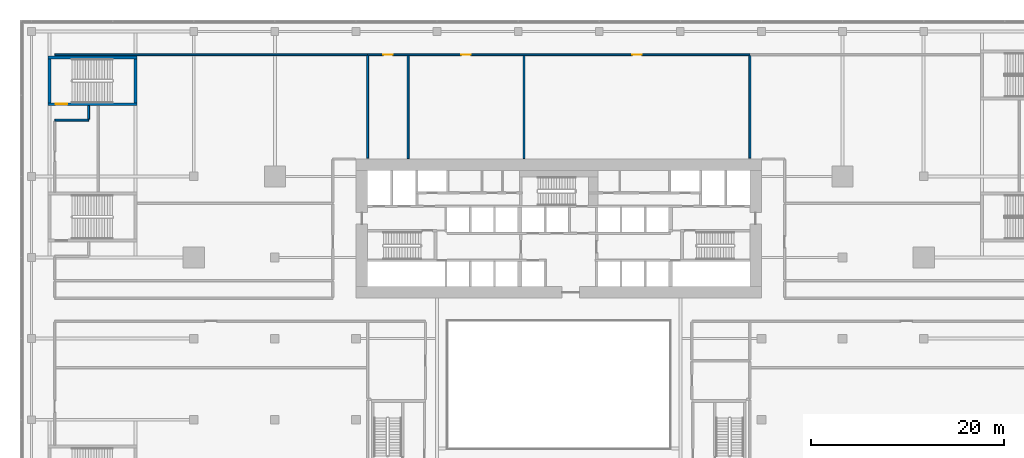
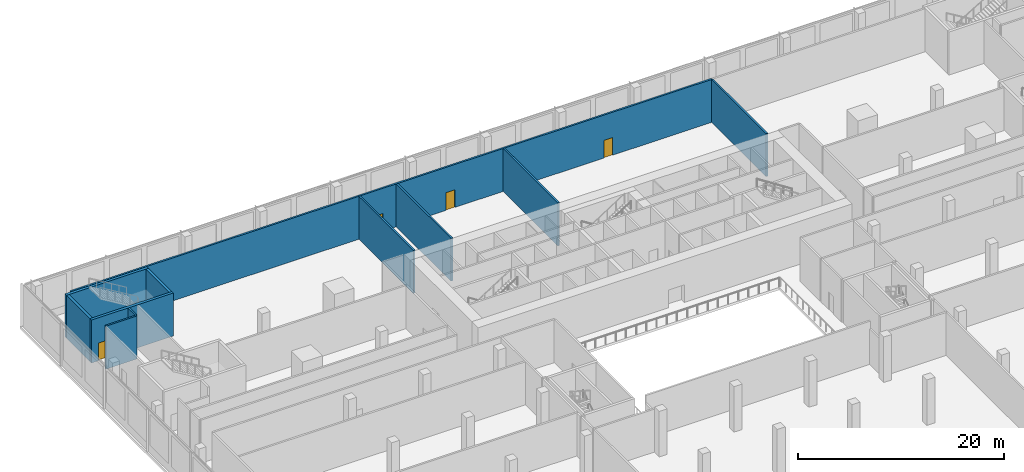
# One storey, part 33 of 39: 12 walls, 4 doors, 4 openings.
"""IFC4 building model written with IfcOpenShell, lengths in metres."""

from ifc_helpers import new_model, si_unit, direction, frame, frame_2d, origin, place, context, subcontext, project, spatial, rectangle, extrude, material, layer, layer_set, type_object, element, fill, save


model = new_model("IFC4")

# Units and contexts
model_context = context("Model", 3, precision=1e-05, world=origin(), true_north=direction((0.0, 1.0)))
body_context = subcontext(model_context, "Body", "Model", "MODEL_VIEW")
ifc_project = project(units=[si_unit("LENGTHUNIT", "METRE"), si_unit("AREAUNIT", "SQUARE_METRE"), si_unit("VOLUMEUNIT", "CUBIC_METRE"), si_unit("PLANEANGLEUNIT", "RADIAN"), si_unit("MASSUNIT", "GRAM", prefix="KILO")], contexts=[model_context])

# Site, building, storey
site_placement = place(None, origin())
site = spatial("IfcSite", under=ifc_project, at=site_placement, CompositionType="ELEMENT")
building_placement = place(site_placement, origin())
building = spatial("IfcBuilding", under=site, at=building_placement, Name="Saffron Gate Tower", CompositionType="ELEMENT")
storey_placement = place(building_placement, frame((0.0, 0.0, 9.0)))
storey = spatial("IfcBuildingStorey", under=building, at=storey_placement, Name="L01", CompositionType="ELEMENT", Elevation=9.0)

# Wall, opening, door
ifc_material_1 = material(Name="Concrete C70", Category="concrete")
ifc_layer_1 = layer(ifc_material_1, 0.300048828125)
ifc_layer_set_1 = layer_set([ifc_layer_1], Name="CW5 RC core wall 300 C70")
wall_type_1 = type_object("IfcWallType", Name="CW5 RC core wall 300 C70", PredefinedType="SOLIDWALL", material=ifc_layer_set_1)
wall_1_placement = place(storey_placement, frame((34.699951171875, 81.27490234375, 0.0), z_axis=(0.0, 0.0, 1.0), x_axis=(1.0, 0.0, 0.0)))
wall_1 = element("IfcWall", 1, at=wall_1_placement, inside=storey, type_object=wall_type_1, Name="Wall CW5-L01-F-1", PredefinedType="SOLIDWALL", context=body_context, shape_type="SweptSolid", body=[
    extrude(rectangle(XDim=9.199951171875, YDim=0.300048828125, at=frame_2d((4.60009765625, 0.0))), origin(), (0.0, 0.0, 1.0), 5.10009765625),
])
opening_1_placement = place(wall_1_placement, frame((0.800048828125, 0.0, 0.0)))
opening_1 = element("IfcOpeningElement", 2, at=opening_1_placement, cuts=wall_1, Name="Opening CR-26", PredefinedType="OPENING", context=body_context, shape_type="SweptSolid", body=[
    extrude(rectangle(XDim=1.199951171875, YDim=2.10009765625, at=frame_2d((0.60009765625, 1.050048828125))), frame((0.0, 0.16015625, 0.0), z_axis=(0.0, -1.0, 0.0), x_axis=(1.0, 0.0, 0.0)), (0.0, 0.0, 1.0), 0.320068359375),
])
ifc_material_2 = material(Name="Steel fire door set", Category="steel")
door_type_1 = type_object("IfcDoorType", Name="CD12 Stair door 1200x2100 EI 120", OperationType="NOTDEFINED", PredefinedType="DOOR", material=ifc_material_2)
door_1_placement = place(opening_1_placement, origin())
door_1 = element("IfcDoor", 3, at=door_1_placement, inside=storey, type_object=door_type_1, Name="DOOR CR-26", OperationType="SINGLE_SWING_RIGHT", OverallHeight=2.10009765625, OverallWidth=1.199951171875, PredefinedType="DOOR", context=body_context, shape_type="SweptSolid", body=[
    extrude(rectangle(XDim=1.199951171875, YDim=2.10009765625, at=frame_2d((0.60009765625, 1.050048828125))), frame((0.0, 0.02490234375, 0.0), z_axis=(0.0, -1.0, 0.0), x_axis=(1.0, 0.0, 0.0)), (0.0, 0.0, 1.0), 0.050048828125),
])
fill(opening_1, door_1)

# Walls
for number, where, z_axis, x_axis, name in (
    (4, (34.85009765625, 81.425048828125, 0.0), (0.0, 0.0, 1.0), (0.0, 1.0, 0.0), "Wall CW5-L01-F-2"),
    (5, (43.75, 81.425048828125, 0.0), (0.0, 0.0, 1.0), (0.0, 1.0, 0.0), "Wall CW5-L01-F-3"),
):
    element("IfcWall", number, at=place(storey_placement, frame(where, z_axis=z_axis, x_axis=x_axis)), inside=storey, type_object=wall_type_1, Name=name, PredefinedType="SOLIDWALL", context=body_context, shape_type="SweptSolid", body=[
        extrude(rectangle(XDim=4.550048828125, YDim=0.300048828125, at=frame_2d((2.27490234375, 0.0))), origin(), (0.0, 0.0, 1.0), 5.10009765625),
    ])
wall_2_placement = place(storey_placement, frame((34.699951171875, 86.125, 0.0), z_axis=(0.0, 0.0, 1.0), x_axis=(1.0, 0.0, 0.0)))
element("IfcWall", 6, at=wall_2_placement, inside=storey, type_object=wall_type_1, Name="Wall CW5-L01-F-4", PredefinedType="SOLIDWALL", context=body_context, shape_type="SweptSolid", body=[
    extrude(rectangle(XDim=9.199951171875, YDim=0.300048828125, at=frame_2d((4.60009765625, 0.0))), origin(), (0.0, 0.0, 1.0), 5.10009765625),
])
ifc_material_3 = material(Name="Clay brick masonry, rendered", Category="masonry")
ifc_layer_2 = layer(ifc_material_3, 0.199951171875)
ifc_layer_set_2 = layer_set([ifc_layer_2], Name="PW2 Demising wall 200")
wall_type_2 = type_object("IfcWallType", Name="PW2 Demising wall 200", PredefinedType="PARTITIONING", material=ifc_layer_set_2)
for number, where, z_axis, x_axis, name in (
    (7, (72.0, 86.300048828125, 0.0), (0.0, 0.0, 1.0), (0.0, -1.0, 0.0), "Wall P1-52"),
    (8, (84.0, 86.300048828125, 0.0), (0.0, 0.0, 1.0), (0.0, -1.0, 0.0), "Wall P1-55"),
):
    element("IfcWall", number, at=place(storey_placement, frame(where, z_axis=z_axis, x_axis=x_axis)), inside=storey, type_object=wall_type_2, Name=name, PredefinedType="PARTITIONING", context=body_context, shape_type="SweptSolid", body=[
        extrude(rectangle(XDim=10.650146484375, YDim=0.199951171875, at=frame_2d((5.3251953125, 0.0))), origin(), (0.0, 0.0, 1.0), 5.10009765625),
    ])
ifc_layer_3 = layer(ifc_material_3, 0.199951171875)
ifc_layer_set_3 = layer_set([ifc_layer_3], Name="PW3 Corridor wall 200")
wall_type_3 = type_object("IfcWallType", Name="PW3 Corridor wall 200", PredefinedType="PARTITIONING", material=ifc_layer_set_3)
wall_3_placement = place(storey_placement, frame((35.39990234375, 79.625, 0.0), z_axis=(0.0, 0.0, 1.0), x_axis=(1.0, 0.0, 0.0)))
element("IfcWall", 9, at=wall_3_placement, inside=storey, type_object=wall_type_3, Name="Wall P1-29", PredefinedType="PARTITIONING", context=body_context, shape_type="SweptSolid", body=[
    extrude(rectangle(XDim=3.5, YDim=0.199951171875, at=frame_2d((1.75, 0.0))), origin(), (0.0, 0.0, 1.0), 5.10009765625),
])

# Wall, openings, doors
wall_4_placement = place(storey_placement, frame((107.39990234375, 86.39990234375, 0.0), z_axis=(0.0, 0.0, 1.0), x_axis=(-1.0, 0.0, 0.0)))
wall_4 = element("IfcWall", 10, at=wall_4_placement, inside=storey, type_object=wall_type_3, Name="Wall P1-31", PredefinedType="PARTITIONING", context=body_context, shape_type="SweptSolid", body=[
    extrude(rectangle(XDim=39.599853515625, YDim=0.199951171875, at=frame_2d((19.7998046875, 0.0))), origin(), (0.0, 0.0, 1.0), 5.10009765625),
])
opening_2_placement = place(wall_4_placement, frame((11.199951171875, 0.0, 0.0)))
opening_2 = element("IfcOpeningElement", 11, at=opening_2_placement, cuts=wall_4, Name="Opening P1-4", PredefinedType="OPENING", context=body_context, shape_type="SweptSolid", body=[
    extrude(rectangle(XDim=1.0, YDim=2.10009765625, at=frame_2d((0.5, 1.050048828125))), frame((0.0, 0.10986328125, 0.0), z_axis=(0.0, -1.0, 0.0), x_axis=(1.0, 0.0, 0.0)), (0.0, 0.0, 1.0), 0.219970703125),
])
opening_3_placement = place(wall_4_placement, frame((28.89990234375, 0.0, 0.0)))
opening_3 = element("IfcOpeningElement", 12, at=opening_3_placement, cuts=wall_4, Name="Opening P1-3", PredefinedType="OPENING", context=body_context, shape_type="SweptSolid", body=[
    extrude(rectangle(XDim=1.0, YDim=2.10009765625, at=frame_2d((0.5, 1.050048828125))), frame((0.0, 0.10986328125, 0.0), z_axis=(0.0, -1.0, 0.0), x_axis=(1.0, 0.0, 0.0)), (0.0, 0.0, 1.0), 0.219970703125),
])
opening_4_placement = place(wall_4_placement, frame((37.0, 0.0, 0.0)))
opening_4 = element("IfcOpeningElement", 13, at=opening_4_placement, cuts=wall_4, Name="Opening P1-2", PredefinedType="OPENING", context=body_context, shape_type="SweptSolid", body=[
    extrude(rectangle(XDim=1.0, YDim=2.10009765625, at=frame_2d((0.5, 1.050048828125))), frame((0.0, 0.10986328125, 0.0), z_axis=(0.0, -1.0, 0.0), x_axis=(1.0, 0.0, 0.0)), (0.0, 0.0, 1.0), 0.219970703125),
])
ifc_material_4 = material(Name="Timber door set", Category="wood")
door_type_2 = type_object("IfcDoorType", Name="RD1 Room door 900x2100", OperationType="NOTDEFINED", PredefinedType="DOOR", material=ifc_material_4)
door_2_placement = place(opening_2_placement, origin())
door_2 = element("IfcDoor", 14, at=door_2_placement, inside=storey, type_object=door_type_2, Name="Door P1-4", OperationType="SINGLE_SWING_LEFT", OverallHeight=2.10009765625, OverallWidth=1.0, PredefinedType="DOOR", context=body_context, shape_type="SweptSolid", body=[
    extrude(rectangle(XDim=1.0, YDim=2.10009765625, at=frame_2d((0.5, 1.050048828125))), frame((0.0, 0.02490234375, 0.0), z_axis=(0.0, -1.0, 0.0), x_axis=(1.0, 0.0, 0.0)), (0.0, 0.0, 1.0), 0.050048828125),
])
fill(opening_2, door_2)
door_3_placement = place(opening_3_placement, origin())
door_3 = element("IfcDoor", 15, at=door_3_placement, inside=storey, type_object=door_type_2, Name="Door P1-3", OperationType="SINGLE_SWING_RIGHT", OverallHeight=2.10009765625, OverallWidth=1.0, PredefinedType="DOOR", context=body_context, shape_type="SweptSolid", body=[
    extrude(rectangle(XDim=1.0, YDim=2.10009765625, at=frame_2d((0.5, 1.050048828125))), frame((0.0, 0.02490234375, 0.0), z_axis=(0.0, -1.0, 0.0), x_axis=(1.0, 0.0, 0.0)), (0.0, 0.0, 1.0), 0.050048828125),
])
fill(opening_3, door_3)
door_4_placement = place(opening_4_placement, origin())
door_4 = element("IfcDoor", 16, at=door_4_placement, inside=storey, type_object=door_type_2, Name="Door P1-2", OperationType="SINGLE_SWING_RIGHT", OverallHeight=2.10009765625, OverallWidth=1.0, PredefinedType="DOOR", context=body_context, shape_type="SweptSolid", body=[
    extrude(rectangle(XDim=1.0, YDim=2.10009765625, at=frame_2d((0.5, 1.050048828125))), frame((0.0, 0.02490234375, 0.0), z_axis=(0.0, -1.0, 0.0), x_axis=(1.0, 0.0, 0.0)), (0.0, 0.0, 1.0), 0.050048828125),
])
fill(opening_4, door_4)

# Walls
wall_5_placement = place(storey_placement, frame((38.89990234375, 81.125, 0.0), z_axis=(0.0, 0.0, 1.0), x_axis=(0.0, -1.0, 0.0)))
element("IfcWall", 17, at=wall_5_placement, inside=storey, type_object=wall_type_3, Name="Wall P1-41", PredefinedType="PARTITIONING", context=body_context, shape_type="SweptSolid", body=[
    extrude(rectangle(XDim=1.39990234375, YDim=0.199951171875, at=frame_2d((0.699951171875, 0.0))), origin(), (0.0, 0.0, 1.0), 5.10009765625),
])
ifc_layer_4 = layer(ifc_material_3, 0.199951171875)
ifc_layer_set_4 = layer_set([ifc_layer_4], Name="PW5 Room wall 200")
wall_type_4 = type_object("IfcWallType", Name="PW5 Room wall 200", PredefinedType="PARTITIONING", material=ifc_layer_set_4)
wall_6_placement = place(storey_placement, frame((35.39990234375, 86.39990234375, 0.0), z_axis=(0.0, 0.0, 1.0), x_axis=(1.0, 0.0, 0.0)))
element("IfcWall", 18, at=wall_6_placement, inside=storey, type_object=wall_type_4, Name="Wall P1-32", PredefinedType="PARTITIONING", context=body_context, shape_type="SweptSolid", body=[
    extrude(rectangle(XDim=32.380126953125, YDim=0.199951171875, at=frame_2d((16.18994140625, 0.0))), origin(), (0.0, 0.0, 1.0), 5.10009765625),
])
for number, where, z_axis, x_axis, name in (
    (19, (67.800048828125, 86.300048828125, 0.0), (0.0, 0.0, 1.0), (0.0, -1.0, 0.0), "Wall P1-49"),
    (20, (107.39990234375, 86.300048828125, 0.0), (0.0, 0.0, 1.0), (0.0, -1.0, 0.0), "Wall P1-63"),
):
    element("IfcWall", number, at=place(storey_placement, frame(where, z_axis=z_axis, x_axis=x_axis)), inside=storey, type_object=wall_type_4, Name=name, PredefinedType="PARTITIONING", context=body_context, shape_type="SweptSolid", body=[
        extrude(rectangle(XDim=10.60009765625, YDim=0.199951171875, at=frame_2d((5.300048828125, 0.0))), origin(), (0.0, 0.0, 1.0), 5.10009765625),
    ])

save(model, "model.ifc")
